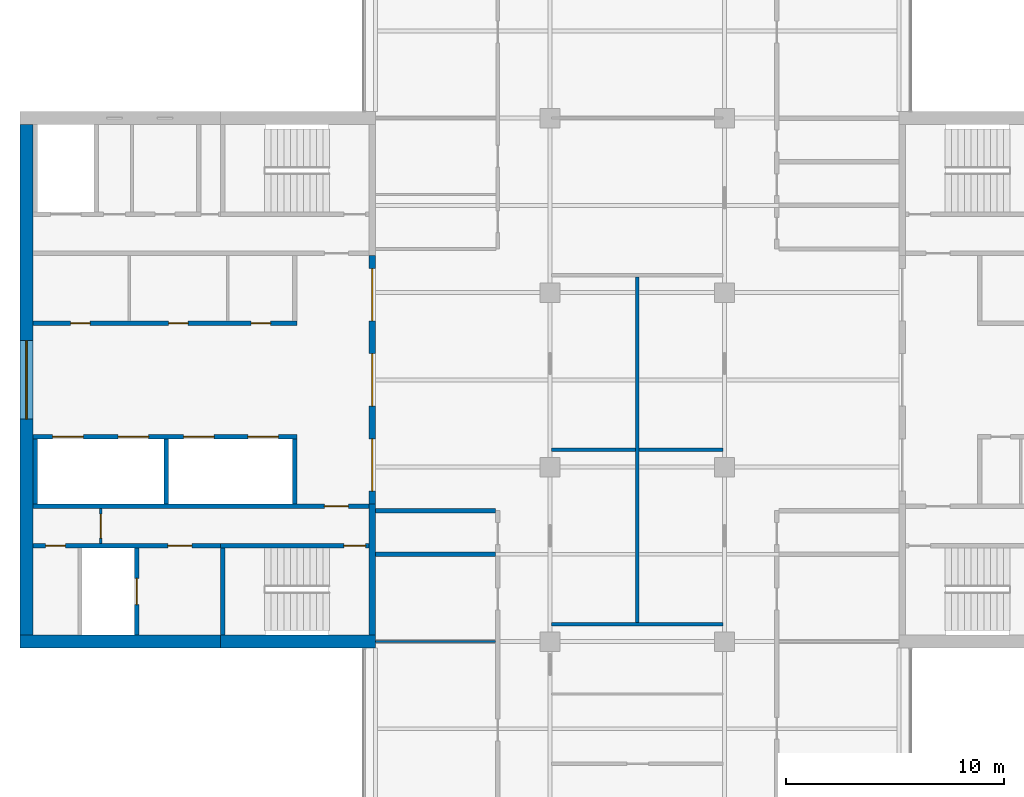
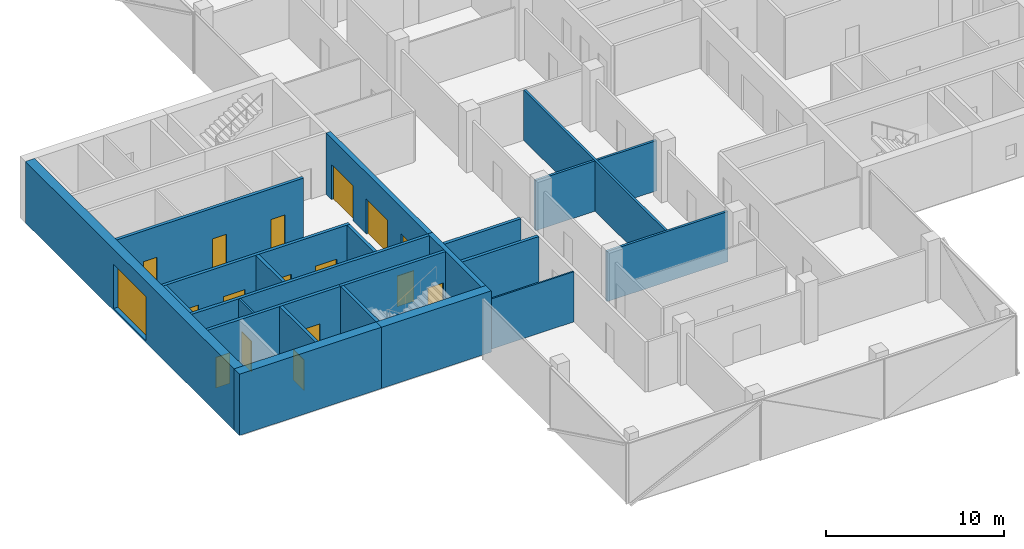
# One storey, part 9 of 16: 23 walls, 16 doors, 1 window, 17 openings.
"""IFC4 building model written with IfcOpenShell, lengths in metres."""

from ifc_helpers import new_model, si_unit, direction, frame, frame_2d, origin, place, context, subcontext, project, spatial, rectangle, extrude, material, layer, layer_set, constituent, constituent_set, type_object, element, fill, save


model = new_model("IFC4")

# Units and contexts
model_context = context("Model", 3, precision=1e-05, world=origin(), true_north=direction((0.0, 1.0)))
body_context = subcontext(model_context, "Body", "Model", "MODEL_VIEW")
ifc_project = project(units=[si_unit("LENGTHUNIT", "METRE"), si_unit("AREAUNIT", "SQUARE_METRE"), si_unit("VOLUMEUNIT", "CUBIC_METRE"), si_unit("PLANEANGLEUNIT", "RADIAN"), si_unit("MASSUNIT", "GRAM", prefix="KILO")], contexts=[model_context])

# Site, building, storey
site_placement = place(None, origin())
site = spatial("IfcSite", under=ifc_project, at=site_placement, CompositionType="ELEMENT")
building_placement = place(site_placement, origin())
building = spatial("IfcBuilding", under=site, at=building_placement, Name="Crosswind Convention Tower", CompositionType="ELEMENT")
storey_placement = place(building_placement, frame((0.0, 0.0, 212.5)))
storey = spatial("IfcBuildingStorey", under=building, at=storey_placement, Name="L45", CompositionType="ELEMENT", Elevation=212.5)

# Walls
ifc_material_1 = material(Name="Concrete blockwork", Category="masonry")
ifc_layer_1 = layer(ifc_material_1, 0.199951171875)
ifc_layer_set_1 = layer_set([ifc_layer_1], Name="COMPARTMENT WALL 200 BLOCKWORK")
wall_type_1 = type_object("IfcWallType", Name="COMPARTMENT WALL 200 BLOCKWORK", PredefinedType="SOLIDWALL", material=ifc_layer_set_1)
for number, where, z_axis, x_axis, name in (
    (1, (113.0, 92.0, 0.0), (0.0, 0.0, 1.0), (1.0, 0.0, 0.0), "Compartment wall WT42"),
    (2, (113.0, 94.0, 0.0), (0.0, 0.0, 1.0), (1.0, 0.0, 0.0), "Compartment wall WT42"),
):
    element("IfcWall", number, at=place(storey_placement, frame(where, z_axis=z_axis, x_axis=x_axis)), inside=storey, type_object=wall_type_1, Name=name, PredefinedType="SOLIDWALL", context=body_context, shape_type="SweptSolid", body=[
        extrude(rectangle(XDim=5.5, YDim=0.199951171875, at=frame_2d((2.75, 0.0))), origin(), (0.0, 0.0, 1.0), 3.439697265625),
    ])

# Wall, openings, doors
ifc_material_2 = material(Name="Concrete C50/60", Category="concrete")
ifc_layer_2 = layer(ifc_material_2, 0.300048828125)
ifc_layer_set_2 = layer_set([ifc_layer_2], Name="Concrete C50/60")
wall_type_2 = type_object("IfcWallType", Name="Concrete inner core wall 300", PredefinedType="SHEAR", material=ifc_layer_set_2)
wall_1_placement = place(storey_placement, frame((112.85009765625, 105.699951171875, 0.0), z_axis=(0.0, 0.0, 1.0), x_axis=(0.0, -1.0, 0.0)))
wall_1 = element("IfcWall", 3, at=wall_1_placement, inside=storey, type_object=wall_type_2, Name="Wall SCR W L45", PredefinedType="SHEAR", context=body_context, shape_type="SweptSolid", body=[
    extrude(rectangle(XDim=11.39990234375, YDim=0.300048828125, at=frame_2d((5.699951171875, 0.0))), origin(), (0.0, 0.0, 1.0), 4.199951171875),
])
opening_1_placement = place(wall_1_placement, frame((0.60009765625, 0.0, 0.0)))
opening_1 = element("IfcOpeningElement", 4, at=opening_1_placement, cuts=wall_1, Name="Opening D100", PredefinedType="OPENING", context=body_context, shape_type="SweptSolid", body=[
    extrude(rectangle(XDim=2.39990234375, YDim=2.39990234375, at=frame_2d((1.199951171875, 1.199951171875))), frame((0.0, 0.159912109375, 0.0), z_axis=(0.0, -1.0, 0.0), x_axis=(1.0, 0.0, 0.0)), (0.0, 0.0, 1.0), 0.320068359375),
])
opening_2_placement = place(wall_1_placement, frame((4.5, 0.0, 0.0)))
opening_2 = element("IfcOpeningElement", 5, at=opening_2_placement, cuts=wall_1, Name="Opening D100", PredefinedType="OPENING", context=body_context, shape_type="SweptSolid", body=[
    extrude(rectangle(XDim=2.39990234375, YDim=2.39990234375, at=frame_2d((1.199951171875, 1.199951171875))), frame((0.0, 0.159912109375, 0.0), z_axis=(0.0, -1.0, 0.0), x_axis=(1.0, 0.0, 0.0)), (0.0, 0.0, 1.0), 0.320068359375),
])
opening_3_placement = place(wall_1_placement, frame((8.39990234375, 0.0, 0.0)))
opening_3 = element("IfcOpeningElement", 6, at=opening_3_placement, cuts=wall_1, Name="Opening D100", PredefinedType="OPENING", context=body_context, shape_type="SweptSolid", body=[
    extrude(rectangle(XDim=2.39990234375, YDim=2.39990234375, at=frame_2d((1.199951171875, 1.199951171875))), frame((0.0, 0.159912109375, 0.0), z_axis=(0.0, -1.0, 0.0), x_axis=(1.0, 0.0, 0.0)), (0.0, 0.0, 1.0), 0.320068359375),
])
ifc_material_3 = material(Name="Steel fire door with glazed vision panels", Category="steel")
door_type_1 = type_object("IfcDoorType", Name="Fire-rated double door 2400x2400", OperationType="DOUBLE_DOOR_SINGLE_SWING", PredefinedType="DOOR", material=ifc_material_3)
door_1_placement = place(opening_1_placement, origin())
door_1 = element("IfcDoor", 7, at=door_1_placement, inside=storey, type_object=door_type_1, Name="Lobby door 1 L45", ObjectType="D100", OperationType="DOUBLE_DOOR_SINGLE_SWING", OverallHeight=2.39990234375, OverallWidth=2.39990234375, PredefinedType="DOOR", context=body_context, shape_type="SweptSolid", body=[
    extrude(rectangle(XDim=2.39990234375, YDim=2.39990234375, at=frame_2d((1.199951171875, 1.199951171875))), frame((0.0, 0.02490234375, 0.0), z_axis=(0.0, -1.0, 0.0), x_axis=(1.0, 0.0, 0.0)), (0.0, 0.0, 1.0), 0.050048828125),
])
fill(opening_1, door_1)
door_2_placement = place(opening_2_placement, origin())
door_2 = element("IfcDoor", 8, at=door_2_placement, inside=storey, type_object=door_type_1, Name="Lobby door 2 L45", ObjectType="D100", OperationType="DOUBLE_DOOR_SINGLE_SWING", OverallHeight=2.39990234375, OverallWidth=2.39990234375, PredefinedType="DOOR", context=body_context, shape_type="SweptSolid", body=[
    extrude(rectangle(XDim=2.39990234375, YDim=2.39990234375, at=frame_2d((1.199951171875, 1.199951171875))), frame((0.0, 0.02490234375, 0.0), z_axis=(0.0, -1.0, 0.0), x_axis=(1.0, 0.0, 0.0)), (0.0, 0.0, 1.0), 0.050048828125),
])
fill(opening_2, door_2)
door_3_placement = place(opening_3_placement, origin())
door_3 = element("IfcDoor", 9, at=door_3_placement, inside=storey, type_object=door_type_1, Name="Lobby door 3 L45", ObjectType="D100", OperationType="DOUBLE_DOOR_SINGLE_SWING", OverallHeight=2.39990234375, OverallWidth=2.39990234375, PredefinedType="DOOR", context=body_context, shape_type="SweptSolid", body=[
    extrude(rectangle(XDim=2.39990234375, YDim=2.39990234375, at=frame_2d((1.199951171875, 1.199951171875))), frame((0.0, 0.02490234375, 0.0), z_axis=(0.0, -1.0, 0.0), x_axis=(1.0, 0.0, 0.0)), (0.0, 0.0, 1.0), 0.050048828125),
])
fill(opening_3, door_3)

# Walls
wall_2_placement = place(storey_placement, frame((112.85009765625, 94.300048828125, 0.0), z_axis=(0.0, 0.0, 1.0), x_axis=(0.0, -1.0, 0.0)))
element("IfcWall", 10, at=wall_2_placement, inside=storey, type_object=wall_type_2, Name="Wall EP W L45", PredefinedType="SHEAR", context=body_context, shape_type="SweptSolid", body=[
    extrude(rectangle(XDim=6.0, YDim=0.300048828125, at=frame_2d((3.0, 0.0))), origin(), (0.0, 0.0, 1.0), 4.199951171875),
])
ifc_layer_3 = layer(ifc_material_2, 0.199951171875)
ifc_layer_set_3 = layer_set([ifc_layer_3], Name="Concrete C50/60")
wall_type_3 = type_object("IfcWallType", Name="Concrete shaft and stair wall 200", PredefinedType="SHEAR", material=ifc_layer_set_3)
for number, where, z_axis, x_axis, name in (
    (11, (109.300048828125, 97.300048828125, 0.0), (0.0, 0.0, 1.0), (0.0, -1.0, 0.0), "Wall RPEND W L45"),
    (12, (103.39990234375, 97.300048828125, 0.0), (0.0, 0.0, 1.0), (0.0, -1.0, 0.0), "Wall RPSEP W L45"),
    (13, (97.39990234375, 97.300048828125, 0.0), (0.0, 0.0, 1.0), (0.0, -1.0, 0.0), "Wall RPEAST W L45"),
):
    element("IfcWall", number, at=place(storey_placement, frame(where, z_axis=z_axis, x_axis=x_axis)), inside=storey, type_object=wall_type_3, Name=name, PredefinedType="SHEAR", context=body_context, shape_type="SweptSolid", body=[
        extrude(rectangle(XDim=3.0, YDim=0.199951171875, at=frame_2d((1.5, 0.0))), origin(), (0.0, 0.0, 1.0), 4.199951171875),
    ])

# Wall, openings, doors
wall_3_placement = place(storey_placement, frame((109.39990234375, 97.39990234375, 0.0), z_axis=(0.0, 0.0, 1.0), x_axis=(-1.0, 0.0, 0.0)))
wall_3 = element("IfcWall", 14, at=wall_3_placement, inside=storey, type_object=wall_type_3, Name="Wall RPFRONT W L45", PredefinedType="SHEAR", context=body_context, shape_type="SweptSolid", body=[
    extrude(rectangle(XDim=12.099853515625, YDim=0.199951171875, at=frame_2d((6.0498046875, 0.0))), origin(), (0.0, 0.0, 1.0), 4.199951171875),
])
opening_4_placement = place(wall_3_placement, frame((0.85009765625, 0.0, 0.0)))
opening_4 = element("IfcOpeningElement", 15, at=opening_4_placement, cuts=wall_3, Name="Opening LD2", PredefinedType="OPENING", context=body_context, shape_type="SweptSolid", body=[
    extrude(rectangle(XDim=1.39990234375, YDim=2.10009765625, at=frame_2d((0.699951171875, 1.050048828125))), frame((0.0, 0.10986328125, 0.0), z_axis=(0.0, -1.0, 0.0), x_axis=(1.0, 0.0, 0.0)), (0.0, 0.0, 1.0), 0.219970703125),
])
opening_5_placement = place(wall_3_placement, frame((3.800048828125, 0.0, 0.0)))
opening_5 = element("IfcOpeningElement", 16, at=opening_5_placement, cuts=wall_3, Name="Opening LD2", PredefinedType="OPENING", context=body_context, shape_type="SweptSolid", body=[
    extrude(rectangle(XDim=1.39990234375, YDim=2.10009765625, at=frame_2d((0.699951171875, 1.050048828125))), frame((0.0, 0.10986328125, 0.0), z_axis=(0.0, -1.0, 0.0), x_axis=(1.0, 0.0, 0.0)), (0.0, 0.0, 1.0), 0.219970703125),
])
opening_6_placement = place(wall_3_placement, frame((6.800048828125, 0.0, 0.0)))
opening_6 = element("IfcOpeningElement", 17, at=opening_6_placement, cuts=wall_3, Name="Opening LD2", PredefinedType="OPENING", context=body_context, shape_type="SweptSolid", body=[
    extrude(rectangle(XDim=1.39990234375, YDim=2.10009765625, at=frame_2d((0.699951171875, 1.050048828125))), frame((0.0, 0.10986328125, 0.0), z_axis=(0.0, -1.0, 0.0), x_axis=(1.0, 0.0, 0.0)), (0.0, 0.0, 1.0), 0.219970703125),
])
opening_7_placement = place(wall_3_placement, frame((9.800048828125, 0.0, 0.0)))
opening_7 = element("IfcOpeningElement", 18, at=opening_7_placement, cuts=wall_3, Name="Opening LD2", PredefinedType="OPENING", context=body_context, shape_type="SweptSolid", body=[
    extrude(rectangle(XDim=1.39990234375, YDim=2.10009765625, at=frame_2d((0.699951171875, 1.050048828125))), frame((0.0, 0.10986328125, 0.0), z_axis=(0.0, -1.0, 0.0), x_axis=(1.0, 0.0, 0.0)), (0.0, 0.0, 1.0), 0.219970703125),
])
ifc_material_4 = material(Name="Stainless steel", Category="steel")
door_type_2 = type_object("IfcDoorType", Name="Lift landing door 1400x2100", OperationType="DOUBLE_DOOR_SLIDING", PredefinedType="DOOR", material=ifc_material_4)
door_4_placement = place(opening_4_placement, origin())
door_4 = element("IfcDoor", 19, at=door_4_placement, inside=storey, type_object=door_type_2, Name="Landing door HR1 L45", ObjectType="LD2", OperationType="DOUBLE_DOOR_SLIDING", OverallHeight=2.10009765625, OverallWidth=1.39990234375, PredefinedType="DOOR", context=body_context, shape_type="SweptSolid", body=[
    extrude(rectangle(XDim=1.39990234375, YDim=2.10009765625, at=frame_2d((0.699951171875, 1.050048828125))), frame((0.0, 0.02490234375, 0.0), z_axis=(0.0, -1.0, 0.0), x_axis=(1.0, 0.0, 0.0)), (0.0, 0.0, 1.0), 0.050048828125),
])
fill(opening_4, door_4)
door_5_placement = place(opening_5_placement, origin())
door_5 = element("IfcDoor", 20, at=door_5_placement, inside=storey, type_object=door_type_2, Name="Landing door HR2 L45", ObjectType="LD2", OperationType="DOUBLE_DOOR_SLIDING", OverallHeight=2.10009765625, OverallWidth=1.39990234375, PredefinedType="DOOR", context=body_context, shape_type="SweptSolid", body=[
    extrude(rectangle(XDim=1.39990234375, YDim=2.10009765625, at=frame_2d((0.699951171875, 1.050048828125))), frame((0.0, 0.02490234375, 0.0), z_axis=(0.0, -1.0, 0.0), x_axis=(1.0, 0.0, 0.0)), (0.0, 0.0, 1.0), 0.050048828125),
])
fill(opening_5, door_5)
door_6_placement = place(opening_6_placement, origin())
door_6 = element("IfcDoor", 21, at=door_6_placement, inside=storey, type_object=door_type_2, Name="Landing door HR3 L45", ObjectType="LD2", OperationType="DOUBLE_DOOR_SLIDING", OverallHeight=2.10009765625, OverallWidth=1.39990234375, PredefinedType="DOOR", context=body_context, shape_type="SweptSolid", body=[
    extrude(rectangle(XDim=1.39990234375, YDim=2.10009765625, at=frame_2d((0.699951171875, 1.050048828125))), frame((0.0, 0.02490234375, 0.0), z_axis=(0.0, -1.0, 0.0), x_axis=(1.0, 0.0, 0.0)), (0.0, 0.0, 1.0), 0.050048828125),
])
fill(opening_6, door_6)
door_7_placement = place(opening_7_placement, origin())
door_7 = element("IfcDoor", 22, at=door_7_placement, inside=storey, type_object=door_type_2, Name="Landing door HR4 L45", ObjectType="LD2", OperationType="DOUBLE_DOOR_SLIDING", OverallHeight=2.10009765625, OverallWidth=1.39990234375, PredefinedType="DOOR", context=body_context, shape_type="SweptSolid", body=[
    extrude(rectangle(XDim=1.39990234375, YDim=2.10009765625, at=frame_2d((0.699951171875, 1.050048828125))), frame((0.0, 0.02490234375, 0.0), z_axis=(0.0, -1.0, 0.0), x_axis=(1.0, 0.0, 0.0)), (0.0, 0.0, 1.0), 0.050048828125),
])
fill(opening_7, door_7)

wall_4_placement = place(storey_placement, frame((109.39990234375, 102.60009765625, 0.0), z_axis=(0.0, 0.0, 1.0), x_axis=(-1.0, 0.0, 0.0)))
wall_4 = element("IfcWall", 23, at=wall_4_placement, inside=storey, type_object=wall_type_3, Name="Wall RMFRONT W L45", PredefinedType="SHEAR", context=body_context, shape_type="SweptSolid", body=[
    extrude(rectangle(XDim=12.099853515625, YDim=0.199951171875, at=frame_2d((6.0498046875, 0.0))), origin(), (0.0, 0.0, 1.0), 4.199951171875),
])
opening_8_placement = place(wall_4_placement, frame((1.206298828125, 0.0, 0.0)))
opening_8 = element("IfcOpeningElement", 24, at=opening_8_placement, cuts=wall_4, Name="Opening D106", PredefinedType="OPENING", context=body_context, shape_type="SweptSolid", body=[
    extrude(rectangle(XDim=0.89990234375, YDim=2.10009765625, at=frame_2d((0.449951171875, 1.050048828125))), frame((0.0, 0.10986328125, 0.0), z_axis=(0.0, -1.0, 0.0), x_axis=(1.0, 0.0, 0.0)), (0.0, 0.0, 1.0), 0.219970703125),
])
opening_9_placement = place(wall_4_placement, frame((4.986083984375, 0.0, 0.0)))
opening_9 = element("IfcOpeningElement", 25, at=opening_9_placement, cuts=wall_4, Name="Opening D106", PredefinedType="OPENING", context=body_context, shape_type="SweptSolid", body=[
    extrude(rectangle(XDim=0.89990234375, YDim=2.10009765625, at=frame_2d((0.449951171875, 1.050048828125))), frame((0.0, 0.10986328125, 0.0), z_axis=(0.0, -1.0, 0.0), x_axis=(1.0, 0.0, 0.0)), (0.0, 0.0, 1.0), 0.219970703125),
])
opening_10_placement = place(wall_4_placement, frame((9.479736328125, 0.0, 0.0)))
opening_10 = element("IfcOpeningElement", 26, at=opening_10_placement, cuts=wall_4, Name="Opening D106", PredefinedType="OPENING", context=body_context, shape_type="SweptSolid", body=[
    extrude(rectangle(XDim=0.89990234375, YDim=2.10009765625, at=frame_2d((0.449951171875, 1.050048828125))), frame((0.0, 0.10986328125, 0.0), z_axis=(0.0, -1.0, 0.0), x_axis=(1.0, 0.0, 0.0)), (0.0, 0.0, 1.0), 0.219970703125),
])
ifc_material_5 = material(Name="Timber door", Category="wood")
door_type_3 = type_object("IfcDoorType", Name="Single leaf door 900x2100", OperationType="NOTDEFINED", PredefinedType="DOOR", material=ifc_material_5)
door_8_placement = place(opening_8_placement, frame((0.89990234375, 0.0, 0.0), z_axis=(0.0, 0.0, 1.0), x_axis=(-1.0, 0.0, 0.0)))
door_8 = element("IfcDoor", 27, at=door_8_placement, inside=storey, type_object=door_type_3, Name="Door to copy and print room L45", ObjectType="D106", OperationType="SINGLE_SWING_LEFT", OverallHeight=2.10009765625, OverallWidth=0.89990234375, PredefinedType="DOOR", context=body_context, shape_type="SweptSolid", body=[
    extrude(rectangle(XDim=0.89990234375, YDim=2.10009765625, at=frame_2d((0.449951171875, 1.050048828125))), frame((0.0, 0.02490234375, 0.0), z_axis=(0.0, -1.0, 0.0), x_axis=(1.0, 0.0, 0.0)), (0.0, 0.0, 1.0), 0.050048828125),
])
fill(opening_8, door_8)
door_9_placement = place(opening_9_placement, frame((0.89990234375, 0.0, 0.0), z_axis=(0.0, 0.0, 1.0), x_axis=(-1.0, 0.0, 0.0)))
door_9 = element("IfcDoor", 28, at=door_9_placement, inside=storey, type_object=door_type_3, Name="Door to meeting room L45", ObjectType="D106", OperationType="SINGLE_SWING_LEFT", OverallHeight=2.10009765625, OverallWidth=0.89990234375, PredefinedType="DOOR", context=body_context, shape_type="SweptSolid", body=[
    extrude(rectangle(XDim=0.89990234375, YDim=2.10009765625, at=frame_2d((0.449951171875, 1.050048828125))), frame((0.0, 0.02490234375, 0.0), z_axis=(0.0, -1.0, 0.0), x_axis=(1.0, 0.0, 0.0)), (0.0, 0.0, 1.0), 0.050048828125),
])
fill(opening_9, door_9)
door_10_placement = place(opening_10_placement, frame((0.89990234375, 0.0, 0.0), z_axis=(0.0, 0.0, 1.0), x_axis=(-1.0, 0.0, 0.0)))
door_10 = element("IfcDoor", 29, at=door_10_placement, inside=storey, type_object=door_type_3, Name="Door to pantry L45", ObjectType="D106", OperationType="SINGLE_SWING_LEFT", OverallHeight=2.10009765625, OverallWidth=0.89990234375, PredefinedType="DOOR", context=body_context, shape_type="SweptSolid", body=[
    extrude(rectangle(XDim=0.89990234375, YDim=2.10009765625, at=frame_2d((0.449951171875, 1.050048828125))), frame((0.0, 0.02490234375, 0.0), z_axis=(0.0, -1.0, 0.0), x_axis=(1.0, 0.0, 0.0)), (0.0, 0.0, 1.0), 0.050048828125),
])
fill(opening_10, door_10)

# Wall, opening, door
wall_5_placement = place(storey_placement, frame((112.699951171875, 94.199951171875, 0.0), z_axis=(0.0, 0.0, 1.0), x_axis=(-1.0, 0.0, 0.0)))
wall_5 = element("IfcWall", 30, at=wall_5_placement, inside=storey, type_object=wall_type_3, Name="Wall HP W L45", PredefinedType="SHEAR", context=body_context, shape_type="SweptSolid", body=[
    extrude(rectangle(XDim=15.39990234375, YDim=0.199951171875, at=frame_2d((7.699951171875, 0.0))), origin(), (0.0, 0.0, 1.0), 4.199951171875),
])
opening_11_placement = place(wall_5_placement, frame((0.949951171875, 0.0, 0.0)))
opening_11 = element("IfcOpeningElement", 31, at=opening_11_placement, cuts=wall_5, Name="Opening D104", PredefinedType="OPENING", context=body_context, shape_type="SweptSolid", body=[
    extrude(rectangle(XDim=1.10009765625, YDim=2.10009765625, at=frame_2d((0.550048828125, 1.050048828125))), frame((0.0, 0.10986328125, 0.0), z_axis=(0.0, -1.0, 0.0), x_axis=(1.0, 0.0, 0.0)), (0.0, 0.0, 1.0), 0.219970703125),
])
ifc_material_6 = material(Name="Steel fire door", Category="steel")
door_type_4 = type_object("IfcDoorType", Name="Fire-rated single door 1100x2100", OperationType="NOTDEFINED", PredefinedType="DOOR", material=ifc_material_6)
door_11_placement = place(opening_11_placement, origin())
door_11 = element("IfcDoor", 32, at=door_11_placement, inside=storey, type_object=door_type_4, Name="Corridor door L45", ObjectType="D104", OperationType="SINGLE_SWING_LEFT", OverallHeight=2.10009765625, OverallWidth=1.10009765625, PredefinedType="DOOR", context=body_context, shape_type="SweptSolid", body=[
    extrude(rectangle(XDim=1.10009765625, YDim=2.10009765625, at=frame_2d((0.550048828125, 1.050048828125))), frame((0.0, 0.02490234375, 0.0), z_axis=(0.0, -1.0, 0.0), x_axis=(1.0, 0.0, 0.0)), (0.0, 0.0, 1.0), 0.050048828125),
])
fill(opening_11, door_11)

# Wall
wall_6_placement = place(storey_placement, frame((106.0, 92.300048828125, 0.0), z_axis=(0.0, 0.0, 1.0), x_axis=(0.0, -1.0, 0.0)))
element("IfcWall", 33, at=wall_6_placement, inside=storey, type_object=wall_type_3, Name="Wall PSE W L45", PredefinedType="SHEAR", context=body_context, shape_type="SweptSolid", body=[
    extrude(rectangle(XDim=4.0, YDim=0.199951171875, at=frame_2d((2.0, 0.0))), origin(), (0.0, 0.0, 1.0), 4.199951171875),
])

# Wall, opening, door
wall_7_placement = place(storey_placement, frame((102.050048828125, 92.300048828125, 0.0), z_axis=(0.0, 0.0, 1.0), x_axis=(0.0, -1.0, 0.0)))
wall_7 = element("IfcWall", 34, at=wall_7_placement, inside=storey, type_object=wall_type_3, Name="Wall PFLW W L45", PredefinedType="SHEAR", context=body_context, shape_type="SweptSolid", body=[
    extrude(rectangle(XDim=4.0, YDim=0.199951171875, at=frame_2d((2.0, 0.0))), origin(), (0.0, 0.0, 1.0), 4.199951171875),
])
opening_12_placement = place(wall_7_placement, frame((1.39990234375, 0.0, 0.0)))
opening_12 = element("IfcOpeningElement", 35, at=opening_12_placement, cuts=wall_7, Name="Opening LD1", PredefinedType="OPENING", context=body_context, shape_type="SweptSolid", body=[
    extrude(rectangle(XDim=1.199951171875, YDim=2.10009765625, at=frame_2d((0.60009765625, 1.050048828125))), frame((0.0, 0.10986328125, 0.0), z_axis=(0.0, -1.0, 0.0), x_axis=(1.0, 0.0, 0.0)), (0.0, 0.0, 1.0), 0.219970703125),
])
door_type_5 = type_object("IfcDoorType", Name="Lift landing door 1200x2100", OperationType="DOUBLE_DOOR_SLIDING", PredefinedType="DOOR", material=ifc_material_4)
door_12_placement = place(opening_12_placement, origin())
door_12 = element("IfcDoor", 36, at=door_12_placement, inside=storey, type_object=door_type_5, Name="Landing door FF2 L45", ObjectType="LD1", OperationType="DOUBLE_DOOR_SLIDING", OverallHeight=2.10009765625, OverallWidth=1.199951171875, PredefinedType="DOOR", context=body_context, shape_type="SweptSolid", body=[
    extrude(rectangle(XDim=1.199951171875, YDim=2.10009765625, at=frame_2d((0.60009765625, 1.050048828125))), frame((0.0, 0.02490234375, 0.0), z_axis=(0.0, -1.0, 0.0), x_axis=(1.0, 0.0, 0.0)), (0.0, 0.0, 1.0), 0.050048828125),
])
fill(opening_12, door_12)

wall_8_placement = place(storey_placement, frame((112.699951171875, 92.39990234375, 0.0), z_axis=(0.0, 0.0, 1.0), x_axis=(-1.0, 0.0, 0.0)))
wall_8 = element("IfcWall", 37, at=wall_8_placement, inside=storey, type_object=wall_type_3, Name="Wall PCW W L45", PredefinedType="SHEAR", context=body_context, shape_type="SweptSolid", body=[
    extrude(rectangle(XDim=6.800048828125, YDim=0.199951171875, at=frame_2d((3.39990234375, 0.0))), origin(), (0.0, 0.0, 1.0), 4.199951171875),
])
opening_13_placement = place(wall_8_placement, frame((0.14990234375, 0.0, 0.0)))
opening_13 = element("IfcOpeningElement", 38, at=opening_13_placement, cuts=wall_8, Name="Opening D103", PredefinedType="OPENING", context=body_context, shape_type="SweptSolid", body=[
    extrude(rectangle(XDim=1.0, YDim=2.10009765625, at=frame_2d((0.5, 1.050048828125))), frame((0.0, 0.10986328125, 0.0), z_axis=(0.0, -1.0, 0.0), x_axis=(1.0, 0.0, 0.0)), (0.0, 0.0, 1.0), 0.219970703125),
])
door_type_6 = type_object("IfcDoorType", Name="Fire-rated single door 1000x2100", OperationType="NOTDEFINED", PredefinedType="DOOR", material=ifc_material_6)
door_13_placement = place(opening_13_placement, origin())
door_13 = element("IfcDoor", 39, at=door_13_placement, inside=storey, type_object=door_type_6, Name="Stair ST3 door L45", ObjectType="D103", OperationType="SINGLE_SWING_LEFT", OverallHeight=2.10009765625, OverallWidth=1.0, PredefinedType="DOOR", context=body_context, shape_type="SweptSolid", body=[
    extrude(rectangle(XDim=1.0, YDim=2.10009765625, at=frame_2d((0.5, 1.050048828125))), frame((0.0, 0.02490234375, 0.0), z_axis=(0.0, -1.0, 0.0), x_axis=(1.0, 0.0, 0.0)), (0.0, 0.0, 1.0), 0.050048828125),
])
fill(opening_13, door_13)

# Wall, openings, doors
wall_9_placement = place(storey_placement, frame((105.89990234375, 92.39990234375, 0.0), z_axis=(0.0, 0.0, 1.0), x_axis=(-1.0, 0.0, 0.0)))
wall_9 = element("IfcWall", 40, at=wall_9_placement, inside=storey, type_object=wall_type_3, Name="Wall PCX W L45", PredefinedType="SHEAR", context=body_context, shape_type="SweptSolid", body=[
    extrude(rectangle(XDim=8.599853515625, YDim=0.199951171875, at=frame_2d((4.2998046875, 0.0))), origin(), (0.0, 0.0, 1.0), 4.199951171875),
])
opening_14_placement = place(wall_9_placement, frame((1.324951171875, 0.0, 0.0)))
opening_14 = element("IfcOpeningElement", 41, at=opening_14_placement, cuts=wall_9, Name="Opening D104", PredefinedType="OPENING", context=body_context, shape_type="SweptSolid", body=[
    extrude(rectangle(XDim=1.10009765625, YDim=2.10009765625, at=frame_2d((0.550048828125, 1.050048828125))), frame((0.0, 0.10986328125, 0.0), z_axis=(0.0, -1.0, 0.0), x_axis=(1.0, 0.0, 0.0)), (0.0, 0.0, 1.0), 0.219970703125),
])
opening_15_placement = place(wall_9_placement, frame((7.125, 0.0, 0.0)))
opening_15 = element("IfcOpeningElement", 42, at=opening_15_placement, cuts=wall_9, Name="Opening D106", PredefinedType="OPENING", context=body_context, shape_type="SweptSolid", body=[
    extrude(rectangle(XDim=0.89990234375, YDim=2.10009765625, at=frame_2d((0.449951171875, 1.050048828125))), frame((0.0, 0.10986328125, 0.0), z_axis=(0.0, -1.0, 0.0), x_axis=(1.0, 0.0, 0.0)), (0.0, 0.0, 1.0), 0.219970703125),
])
door_14_placement = place(opening_14_placement, origin())
door_14 = element("IfcDoor", 43, at=door_14_placement, inside=storey, type_object=door_type_4, Name="Fire-fighting lobby FF2 door L45", ObjectType="D104", OperationType="SINGLE_SWING_RIGHT", OverallHeight=2.10009765625, OverallWidth=1.10009765625, PredefinedType="DOOR", context=body_context, shape_type="SweptSolid", body=[
    extrude(rectangle(XDim=1.10009765625, YDim=2.10009765625, at=frame_2d((0.550048828125, 1.050048828125))), frame((0.0, 0.02490234375, 0.0), z_axis=(0.0, -1.0, 0.0), x_axis=(1.0, 0.0, 0.0)), (0.0, 0.0, 1.0), 0.050048828125),
])
fill(opening_14, door_14)
door_15_placement = place(opening_15_placement, origin())
door_15 = element("IfcDoor", 44, at=door_15_placement, inside=storey, type_object=door_type_3, Name="Door to telecoms room L45", ObjectType="D106", OperationType="SINGLE_SWING_RIGHT", OverallHeight=2.10009765625, OverallWidth=0.89990234375, PredefinedType="DOOR", context=body_context, shape_type="SweptSolid", body=[
    extrude(rectangle(XDim=0.89990234375, YDim=2.10009765625, at=frame_2d((0.449951171875, 1.050048828125))), frame((0.0, 0.02490234375, 0.0), z_axis=(0.0, -1.0, 0.0), x_axis=(1.0, 0.0, 0.0)), (0.0, 0.0, 1.0), 0.050048828125),
])
fill(opening_15, door_15)

# Wall, opening, door
ifc_material_7 = material(Name="Gypsum plasterboard partition", Category="gypsum")
ifc_layer_4 = layer(ifc_material_7, 0.125)
ifc_layer_set_4 = layer_set([ifc_layer_4], Name="Drywall partition wall 125")
wall_type_4 = type_object("IfcWallType", Name="Drywall partition wall 125", PredefinedType="PARTITIONING", material=ifc_layer_set_4)
wall_10_placement = place(storey_placement, frame((100.39990234375, 94.10009765625, 0.0), z_axis=(0.0, 0.0, 1.0), x_axis=(0.0, -1.0, 0.0)))
wall_10 = element("IfcWall", 45, at=wall_10_placement, inside=storey, type_object=wall_type_4, Name="Wall PXC1 W L45", PredefinedType="PARTITIONING", context=body_context, shape_type="SweptSolid", body=[
    extrude(rectangle(XDim=1.60009765625, YDim=0.125, at=frame_2d((0.800048828125, 0.0))), origin(), (0.0, 0.0, 1.0), 4.199951171875),
])
opening_16_placement = place(wall_10_placement, frame((0.25, 0.0, 0.0)))
opening_16 = element("IfcOpeningElement", 46, at=opening_16_placement, cuts=wall_10, Name="Opening D104", PredefinedType="OPENING", context=body_context, shape_type="SweptSolid", body=[
    extrude(rectangle(XDim=1.10009765625, YDim=2.10009765625, at=frame_2d((0.550048828125, 1.050048828125))), frame((0.0, 0.072509765625, 0.0), z_axis=(0.0, -1.0, 0.0), x_axis=(1.0, 0.0, 0.0)), (0.0, 0.0, 1.0), 0.14501953125),
])
door_16_placement = place(opening_16_placement, origin())
door_16 = element("IfcDoor", 47, at=door_16_placement, inside=storey, type_object=door_type_4, Name="Corridor smoke door L45", ObjectType="D104", OperationType="SINGLE_SWING_RIGHT", OverallHeight=2.10009765625, OverallWidth=1.10009765625, PredefinedType="DOOR", context=body_context, shape_type="SweptSolid", body=[
    extrude(rectangle(XDim=1.10009765625, YDim=2.10009765625, at=frame_2d((0.550048828125, 1.050048828125))), frame((0.0, 0.02490234375, 0.0), z_axis=(0.0, -1.0, 0.0), x_axis=(1.0, 0.0, 0.0)), (0.0, 0.0, 1.0), 0.050048828125),
])
fill(opening_16, door_16)

# Walls
ifc_material_8 = material(Name="Plasterboard partition", Category="gypsum")
ifc_layer_5 = layer(ifc_material_8, 0.10009765625)
ifc_layer_set_5 = layer_set([ifc_layer_5], Name="PARTITION 100 METAL STUD")
wall_type_5 = type_object("IfcWallType", Name="PARTITION 100 METAL STUD", PredefinedType="PARTITIONING", material=ifc_layer_set_5)
wall_11_placement = place(storey_placement, frame((113.0, 88.0, 0.0), z_axis=(0.0, 0.0, 1.0), x_axis=(1.0, 0.0, 0.0)))
element("IfcWall", 48, at=wall_11_placement, inside=storey, type_object=wall_type_5, Name="Partition wall WT40", PredefinedType="PARTITIONING", context=body_context, shape_type="SweptSolid", body=[
    extrude(rectangle(XDim=5.5, YDim=0.10009765625, at=frame_2d((2.75, 0.0))), origin(), (0.0, 0.0, 1.0), 3.439697265625),
])
ifc_material_9 = material(Name="Fire-board partition with mineral wool", Category="gypsum")
ifc_layer_6 = layer(ifc_material_9, 0.14990234375)
ifc_layer_set_6 = layer_set([ifc_layer_6], Name="TENANCY WALL 150 TWO-HOUR BOARD")
wall_type_6 = type_object("IfcWallType", Name="TENANCY WALL 150 TWO-HOUR BOARD", PredefinedType="PARTITIONING", material=ifc_layer_set_6)
wall_12_placement = place(storey_placement, frame((125.0, 88.875, 0.0), z_axis=(0.0, 0.0, 1.0), x_axis=(0.0, 1.0, 0.0)))
element("IfcWall", 49, at=wall_12_placement, inside=storey, type_object=wall_type_6, Name="Tenancy wall WT41", PredefinedType="PARTITIONING", context=body_context, shape_type="SweptSolid", body=[
    extrude(rectangle(XDim=15.85009765625, YDim=0.14990234375, at=frame_2d((7.925048828125, 0.0))), origin(), (0.0, 0.0, 1.0), 3.439697265625),
])
wall_13_placement = place(storey_placement, frame((121.074951171875, 88.800048828125, 0.0), z_axis=(0.0, 0.0, 1.0), x_axis=(1.0, 0.0, 0.0)))
element("IfcWall", 50, at=wall_13_placement, inside=storey, type_object=wall_type_6, Name="Tenancy wall WT41", PredefinedType="PARTITIONING", context=body_context, shape_type="SweptSolid", body=[
    extrude(rectangle(XDim=7.85009765625, YDim=0.14990234375, at=frame_2d((3.925048828125, 0.0))), origin(), (0.0, 0.0, 1.0), 3.439697265625),
])
for number, where, z_axis, x_axis, name in (
    (51, (121.074951171875, 96.800048828125, 0.0), (0.0, 0.0, 1.0), (1.0, 0.0, 0.0), "Tenancy wall WT41"),
    (52, (125.074951171875, 96.800048828125, 0.0), (0.0, 0.0, 1.0), (1.0, 0.0, 0.0), "Tenancy wall WT41"),
):
    element("IfcWall", number, at=place(storey_placement, frame(where, z_axis=z_axis, x_axis=x_axis)), inside=storey, type_object=wall_type_6, Name=name, PredefinedType="PARTITIONING", context=body_context, shape_type="SweptSolid", body=[
        extrude(rectangle(XDim=3.85009765625, YDim=0.14990234375, at=frame_2d((1.925048828125, 0.0))), origin(), (0.0, 0.0, 1.0), 3.439697265625),
    ])
ifc_material_10 = material(Name="Concrete C60/75", Category="concrete")
ifc_constituent_1 = constituent(ifc_material_10, Name="Structure")
ifc_material_11 = material(Name="Terracotta rainscreen", Category="ceramic")
ifc_constituent_2 = constituent(ifc_material_11, Name="Facing")
ifc_constituent_set = constituent_set(constituents=[ifc_constituent_1, ifc_constituent_2], Name="Concrete C60/75, Terracotta rainscreen")
wall_type_7 = type_object("IfcWallType", Name="Terracotta rainscreen on concrete core wall 600", PredefinedType="SHEAR", material=ifc_constituent_set)
wall_14_placement = place(storey_placement, frame((113.0, 88.0, 0.0), z_axis=(0.0, 0.0, 1.0), x_axis=(-1.0, 0.0, 0.0)))
element("IfcWall", 53, at=wall_14_placement, inside=storey, type_object=wall_type_7, Name="Wall N1 W L45", PredefinedType="SHEAR", context=body_context, shape_type="SweptSolid", body=[
    extrude(rectangle(XDim=7.10009765625, YDim=0.60009765625, at=frame_2d((3.550048828125, 0.0))), origin(), (0.0, 0.0, 1.0), 4.199951171875),
])
wall_15_placement = place(storey_placement, frame((105.89990234375, 88.0, 0.0), z_axis=(0.0, 0.0, 1.0), x_axis=(-1.0, 0.0, 0.0)))
element("IfcWall", 54, at=wall_15_placement, inside=storey, type_object=wall_type_7, Name="Wall N2 W L45", PredefinedType="SHEAR", context=body_context, shape_type="SweptSolid", body=[
    extrude(rectangle(XDim=9.199951171875, YDim=0.60009765625, at=frame_2d((4.60009765625, 0.0))), origin(), (0.0, 0.0, 1.0), 4.199951171875),
])

# Wall, opening, window
wall_16_placement = place(storey_placement, frame((97.0, 111.699951171875, 0.0), z_axis=(0.0, 0.0, 1.0), x_axis=(0.0, -1.0, 0.0)))
wall_16 = element("IfcWall", 55, at=wall_16_placement, inside=storey, type_object=wall_type_7, Name="Wall O W L45", PredefinedType="SHEAR", context=body_context, shape_type="SweptSolid", body=[
    extrude(rectangle(XDim=23.39990234375, YDim=0.60009765625, at=frame_2d((11.699951171875, 0.0))), origin(), (0.0, 0.0, 1.0), 4.199951171875),
])
opening_17_placement = place(wall_16_placement, frame((9.89990234375, 0.0, 0.14990234375)))
opening_17 = element("IfcOpeningElement", 56, at=opening_17_placement, cuts=wall_16, Name="Opening W1", PredefinedType="OPENING", context=body_context, shape_type="SweptSolid", body=[
    extrude(rectangle(XDim=3.60009765625, YDim=3.0, at=frame_2d((1.800048828125, 1.5))), frame((0.0, 0.31005859375, 0.0), z_axis=(0.0, -1.0, 0.0), x_axis=(1.0, 0.0, 0.0)), (0.0, 0.0, 1.0), 0.6201171875),
])
ifc_material_12 = material(Name="Clear laminated glass in aluminium frame", Category="aluminium")
window_type = type_object("IfcWindowType", Name="Lobby end window 3600x3000", PartitioningType="SINGLE_PANEL", PredefinedType="WINDOW", material=ifc_material_12)
window_placement = place(opening_17_placement, origin())
window = element("IfcWindow", 57, at=window_placement, inside=storey, type_object=window_type, Name="Lobby end window L45", ObjectType="W1", OverallHeight=3.0, OverallWidth=3.60009765625, PartitioningType="SINGLE_PANEL", PredefinedType="WINDOW", context=body_context, shape_type="SweptSolid", body=[
    extrude(rectangle(XDim=3.60009765625, YDim=3.0, at=frame_2d((1.800048828125, 1.5))), frame((0.0, 0.030029296875, 0.0), z_axis=(0.0, -1.0, 0.0), x_axis=(1.0, 0.0, 0.0)), (0.0, 0.0, 1.0), 0.06005859375),
])
fill(opening_17, window)

save(model, "model.ifc")
